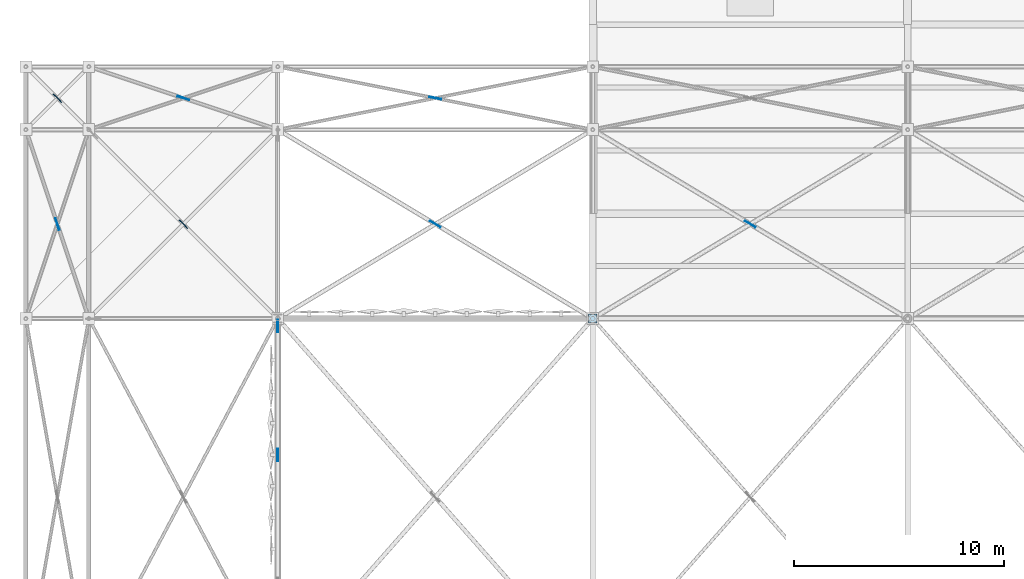
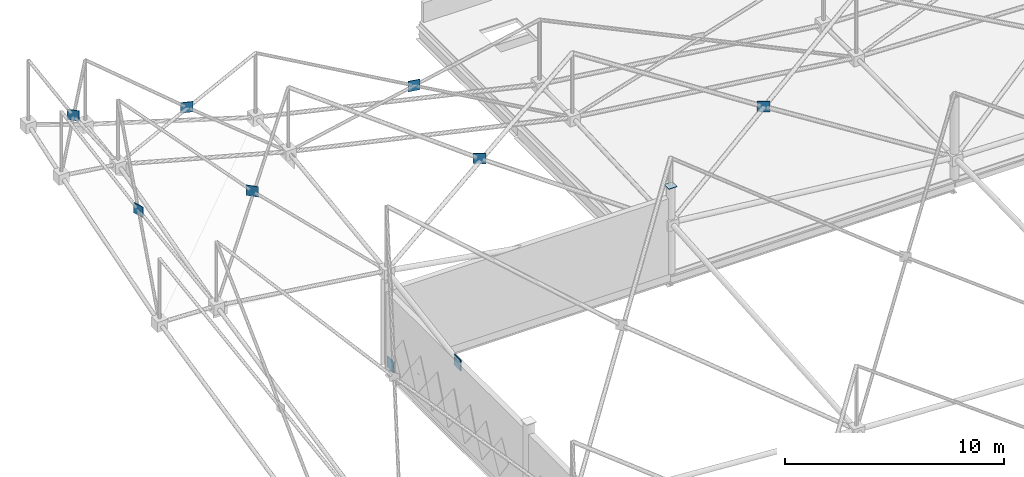
# One storey, part 184 of 224: 10 plates.
"""IFC4 building model written with IfcOpenShell, lengths in metres."""

from ifc_helpers import new_model, si_unit, direction, frame, origin, origin_2d, place, context, subcontext, project, spatial, rectangle, extrude, material, layer, layer_set, type_object, element, save


model = new_model("IFC4")

# Units and contexts
model_context = context("Model", 3, precision=1e-05, world=origin(), true_north=direction((0.0, 1.0)))
body_context = subcontext(model_context, "Body", "Model", "MODEL_VIEW")
ifc_project = project(units=[si_unit("LENGTHUNIT", "METRE"), si_unit("AREAUNIT", "SQUARE_METRE"), si_unit("VOLUMEUNIT", "CUBIC_METRE"), si_unit("PLANEANGLEUNIT", "RADIAN"), si_unit("MASSUNIT", "GRAM", prefix="KILO")], contexts=[model_context])

# Site, building, storey
site_placement = place(None, origin())
site = spatial("IfcSite", under=ifc_project, at=site_placement, CompositionType="ELEMENT")
building_placement = place(site_placement, origin())
building = spatial("IfcBuilding", under=site, at=building_placement, Name="Qamarlyn Nura Convention Centre", CompositionType="ELEMENT")
storey_placement = place(building_placement, frame((0.0, 0.0, 10.800048828125)))
storey = spatial("IfcBuildingStorey", under=building, at=storey_placement, Name="L02", CompositionType="ELEMENT", Elevation=10.800048828125)

# Plates
ifc_material = material(Name="Structural steel ASTM A572 Grade 50", Category="steel")
ifc_layer_1 = layer(ifc_material, 0.02490234375, Name="GP-CAP-25")
ifc_layer_set_1 = layer_set([ifc_layer_1], Name="Structural steel ASTM A572 Grade 50")
plate_type_1 = type_object("IfcPlateType", Name="GP-CAP-25", PredefinedType="USERDEFINED", material=ifc_layer_set_1)
plate_placement = place(storey_placement, frame((15.0, 103.0, 4.800048828125), z_axis=(0.0, 0.0, 1.0), x_axis=(1.0, 0.0, 0.0)))
element("IfcPlate", 1, at=plate_placement, inside=storey, type_object=plate_type_1, Name="L02 column welded end-cap plate 2/M", ObjectType="END CAP PLATE", PredefinedType="USERDEFINED", context=body_context, shape_type="SweptSolid", body=[
    extrude(rectangle(XDim=0.426513671875, YDim=0.426513671875, at=origin_2d()), origin(), (0.0, 0.0, 1.0), 0.02490234375),
])
ifc_layer_2 = layer(ifc_material, 0.035888671875, Name="GP-SN1")
ifc_layer_set_2 = layer_set([ifc_layer_2], Name="Structural steel ASTM A572 Grade 50")
plate_type_2 = type_object("IfcPlateType", Name="GP-SN1", PredefinedType="USERDEFINED", material=ifc_layer_set_2)
for number, where, z_axis, x_axis, name in (
    (2, (-10.5, 107.5, 9.36669921875), (0.0, 0.0, 1.0), (-0.316226957624, 0.948683567514, 0.0), "Space frame X-brace crossing gusset plate 0-7"),
    (3, (-10.5, 113.5, 11.029052734375), (0.0, 0.0, 1.0), (-0.707106781187, 0.707106781187, 0.0), "Space frame X-brace crossing gusset plate 0-8"),
    (4, (-4.5, 107.5, 8.3291015625), (0.0, 0.0, 1.0), (-0.707106781187, 0.707106781187, 0.0), "Space frame X-brace crossing gusset plate 1-7"),
    (5, (-4.5, 113.5, 9.36669921875), (0.0, 0.0, 1.0), (-0.948683567514, 0.316226957624, 0.0), "Space frame X-brace crossing gusset plate 1-8"),
    (6, (7.5, 107.5, 5.94970703125), (0.0, 0.0, 1.0), (-0.857492535386, 0.514496405972, 0.0), "Space frame X-brace crossing gusset plate 2-7"),
    (7, (7.5, 113.5, 6.380859375), (0.0, 0.0, 1.0), (-0.980580786845, 0.196115579366, 0.0), "Space frame X-brace crossing gusset plate 2-8"),
    (8, (22.5, 107.5, 3.598876953125), (0.0, 0.0, 1.0), (-0.857492535386, 0.514496405972, 0.0), "Space frame X-brace crossing gusset plate 3-7"),
):
    element("IfcPlate", number, at=place(storey_placement, frame(where, z_axis=z_axis, x_axis=x_axis)), inside=storey, type_object=plate_type_2, Name=name, ObjectType="GUSSET PLATE", PredefinedType="USERDEFINED", context=body_context, shape_type="SweptSolid", body=[
        extrude(rectangle(XDim=0.580078125, YDim=0.035888671875, at=origin_2d()), origin(), (0.0, 0.0, 1.0), 0.580078125),
    ])
ifc_layer_3 = layer(ifc_material, 0.044921875, Name="GP-TN1")
ifc_layer_set_3 = layer_set([ifc_layer_3], Name="Structural steel ASTM A572 Grade 50")
plate_type_3 = type_object("IfcPlateType", Name="GP-TN1", PredefinedType="USERDEFINED", material=ifc_layer_set_3)
for number, where, z_axis, x_axis, name in (
    (9, (0.0, 102.639892578125, 0.0), (0.0, 0.0, 1.0), (0.0, 1.0, 0.0), "SCBF chevron brace gusset plate CBF-W2-L02-B"),
    (10, (0.0, 96.5, 3.833984375), (0.0, 0.0, 1.0), (0.0, 1.0, 0.0), "SCBF chevron brace gusset plate CBF-W2-L02-M"),
):
    element("IfcPlate", number, at=place(storey_placement, frame(where, z_axis=z_axis, x_axis=x_axis)), inside=storey, type_object=plate_type_3, Name=name, ObjectType="GUSSET PLATE", PredefinedType="USERDEFINED", context=body_context, shape_type="SweptSolid", body=[
        extrude(rectangle(XDim=0.60009765625, YDim=0.044921875, at=origin_2d()), origin(), (0.0, 0.0, 1.0), 0.60009765625),
    ])

save(model, "model.ifc")
